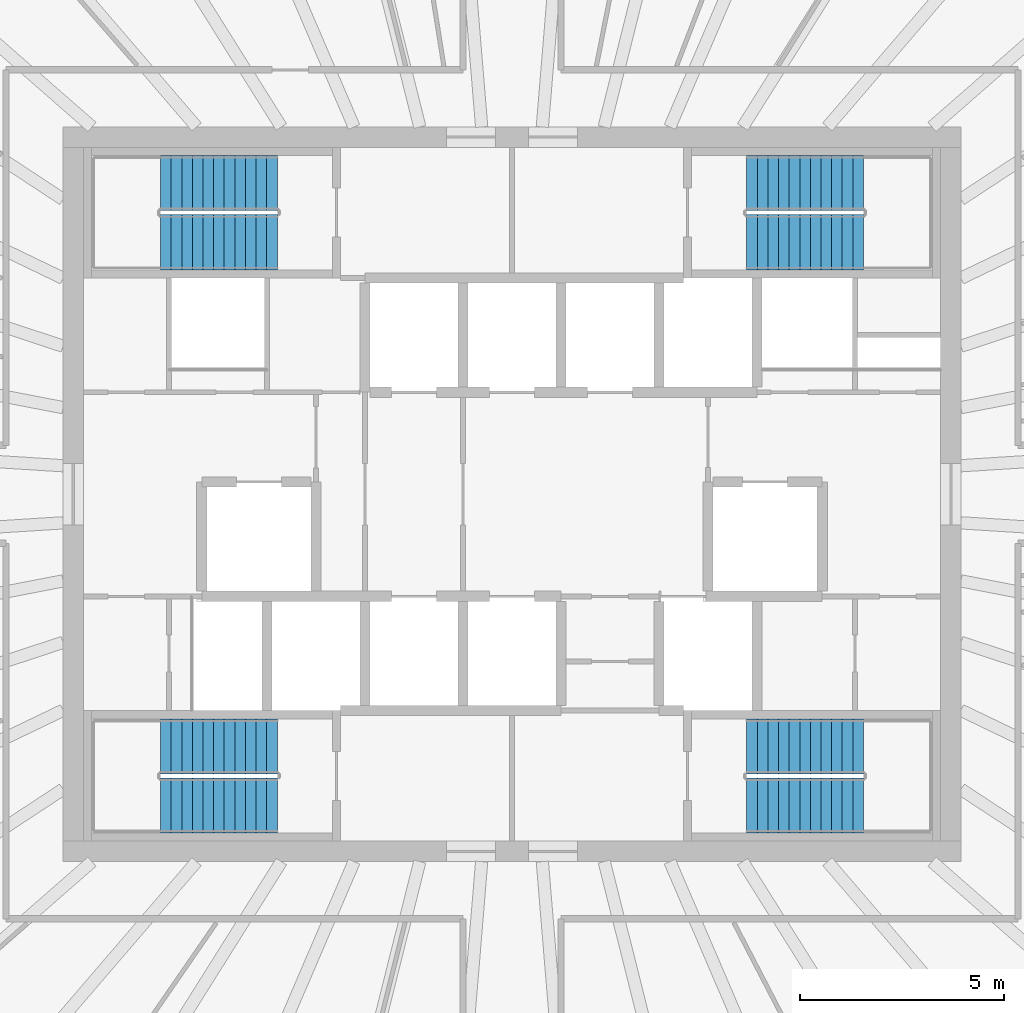
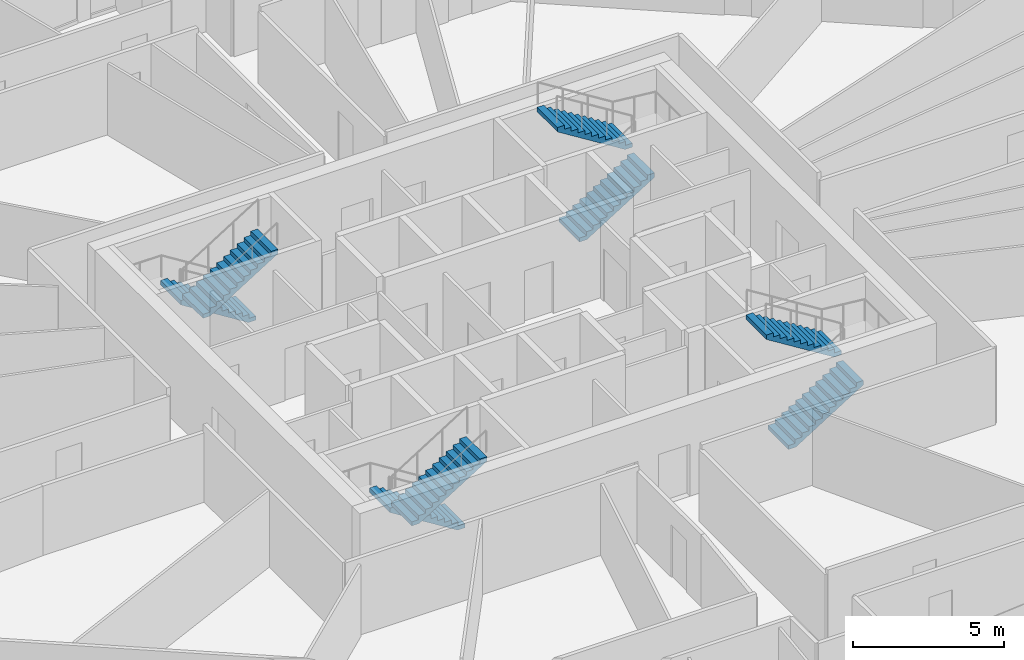
# One storey, part 11 of 12: 8 stair flights, 4 elements without a shape of their own.
"""IFC4 building model written with IfcOpenShell, lengths in metres."""

import ifcopenshell
import ifcopenshell.guid

model = None  # the IFC model being written
_history = None  # IfcOwnerHistory: only IFC2X3 demands one
_inside = {}  # id of a spatial element -> (the spatial element, [elements in it])
_under = {}  # id of a project, library or spatial element -> (it, [spatial elements below it])
_declared = {}  # id of a project -> (the project, [libraries it declares])
_typed = {}  # id of a type object -> (the type object, [elements of that type])
_made_of = {}  # id of a material, layer set ... -> (it, [elements and type objects made of it])


def new_model(schema):
    """Start an empty IFC model of exactly this schema.

    Asked for "IFC4X3", IfcOpenShell would pick the latest addendum, in which some entities
    have other attributes; the version numbers below select the first issue.
    IFC2X3 requires an IfcOwnerHistory on every rooted entity: one is made here for all.
    """
    global model, _history
    if schema == "IFC4X3":
        model = ifcopenshell.file(schema_version=(4, 3, 0, 0))
    else:
        model = ifcopenshell.file(schema=schema)
    _inside.clear()
    _under.clear()
    _declared.clear()
    _typed.clear()
    _made_of.clear()
    _history = None
    if model.schema == "IFC2X3":
        org = make("IfcOrganization", Name="unknown")
        user = make(
            "IfcPersonAndOrganization",
            ThePerson=make("IfcPerson", FamilyName="unknown"),
            TheOrganization=org,
        )
        app = make(
            "IfcApplication",
            ApplicationDeveloper=org,
            Version="unknown",
            ApplicationFullName="unknown",
            ApplicationIdentifier="unknown",
        )
        _history = make(
            "IfcOwnerHistory",
            OwningUser=user,
            OwningApplication=app,
            ChangeAction="ADDED",
            CreationDate=0,
        )
    return model


def make(cls, **values):
    """One entity of the class cls with the attributes given. An attribute that is None is left unset."""
    return model.create_entity(
        cls, **{name: value for name, value in values.items() if value is not None}
    )


def rooted(cls, **values):
    """An entity with a GlobalId (a new one), such as an element, a storey or a relation."""
    return make(cls, GlobalId=ifcopenshell.guid.new(), OwnerHistory=_history, **values)


def si_unit(unit_type, name, prefix=None):
    """IfcSIUnit, for example si_unit("LENGTHUNIT", "METRE", prefix="MILLI")."""
    return make("IfcSIUnit", UnitType=unit_type, Prefix=prefix, Name=name)


def assignment(units):
    """IfcUnitAssignment: the units of a project."""
    return None if units is None else make("IfcUnitAssignment", Units=units)


def point(xyz):
    """IfcCartesianPoint."""
    return None if xyz is None else make("IfcCartesianPoint", Coordinates=xyz)


def direction(xyz):
    """IfcDirection."""
    return None if xyz is None else make("IfcDirection", DirectionRatios=xyz)


def frame(location, z_axis=None, x_axis=None):
    """IfcAxis2Placement3D, a coordinate frame: its origin and axes. An axis left out is left unset."""
    return make(
        "IfcAxis2Placement3D",
        Location=point(location),
        Axis=direction(z_axis),
        RefDirection=direction(x_axis),
    )


def origin():
    """The frame at (0, 0, 0) with its axes left unset."""
    return frame((0.0, 0.0, 0.0))


def place(relative_to, where):
    """IfcLocalPlacement: puts the frame where relative to a parent placement (None: the world)."""
    return make(
        "IfcLocalPlacement", PlacementRelTo=relative_to, RelativePlacement=where
    )


def context(
    kind, dimensions, precision=None, world=None, true_north=None, identifier=None
):
    """IfcGeometricRepresentationContext, for example the 3D "Model" context."""
    return make(
        "IfcGeometricRepresentationContext",
        ContextIdentifier=identifier,
        ContextType=kind,
        CoordinateSpaceDimension=dimensions,
        Precision=precision,
        WorldCoordinateSystem=world,
        TrueNorth=true_north,
    )


def subcontext(parent, identifier, kind, view, scale=None):
    """IfcGeometricRepresentationSubContext, for example "Body" below "Model"."""
    return make(
        "IfcGeometricRepresentationSubContext",
        ContextIdentifier=identifier,
        ContextType=kind,
        ParentContext=parent,
        TargetScale=scale,
        TargetView=view,
    )


def project(units=None, contexts=None):
    """IfcProject with its units and contexts."""
    return rooted(
        "IfcProject",
        Name="project",
        RepresentationContexts=contexts,
        UnitsInContext=assignment(units),
    )


def spatial(cls, under=None, at=None, **own):
    """A site, building, storey or space (cls), placed at a placement, below another one or the project."""
    s = rooted(cls, ObjectPlacement=at, **own)
    if under is not None:
        _under.setdefault(under.id(), (under, []))[1].append(s)
    return s


def polyline(points):
    """IfcPolyline through the points."""
    return make("IfcPolyline", Points=[point(p) for p in points])


def outline(outer, holes=None, kind="AREA"):
    """IfcArbitraryClosedProfileDef: a profile drawn as a closed curve; with holes, ...WithVoids."""
    if holes is None:
        return make("IfcArbitraryClosedProfileDef", ProfileType=kind, OuterCurve=outer)
    return make(
        "IfcArbitraryProfileDefWithVoids",
        ProfileType=kind,
        OuterCurve=outer,
        InnerCurves=holes,
    )


def extrude(swept, where, along, depth):
    """IfcExtrudedAreaSolid: the profile swept, set in the frame where, extruded along a direction by depth."""
    return make(
        "IfcExtrudedAreaSolid",
        SweptArea=swept,
        Position=where,
        ExtrudedDirection=direction(along),
        Depth=depth,
    )


def shape(context_of_items, identifier, shape_type, items):
    """IfcShapeRepresentation: the items that make up one representation, for example the "Body"."""
    return make(
        "IfcShapeRepresentation",
        ContextOfItems=context_of_items,
        RepresentationIdentifier=identifier,
        RepresentationType=shape_type,
        Items=items,
    )


def source(mapping_origin, context_of_items, identifier, shape_type, items):
    """IfcRepresentationMap: a shape defined once, which mapped items show again and again."""
    return make(
        "IfcRepresentationMap",
        MappingOrigin=mapping_origin,
        MappedRepresentation=shape(context_of_items, identifier, shape_type, items),
    )


def transform(
    local_origin,
    x_axis=None,
    y_axis=None,
    z_axis=None,
    scale=None,
    scale2=None,
    scale3=None,
    uniform=True,
):
    """IfcCartesianTransformationOperator3D, or its non-uniform kind. x_axis, y_axis, z_axis: its Axis1, 2, 3."""
    if uniform:
        return make(
            "IfcCartesianTransformationOperator3D",
            Axis1=direction(x_axis),
            Axis2=direction(y_axis),
            LocalOrigin=point(local_origin),
            Scale=scale,
            Axis3=direction(z_axis),
        )
    return make(
        "IfcCartesianTransformationOperator3DnonUniform",
        Axis1=direction(x_axis),
        Axis2=direction(y_axis),
        LocalOrigin=point(local_origin),
        Scale=scale,
        Axis3=direction(z_axis),
        Scale2=scale2,
        Scale3=scale3,
    )


def mapped(mapping_source, mapping_target):
    """IfcMappedItem: shows the shape of a source again, moved by a transform."""
    return make(
        "IfcMappedItem", MappingSource=mapping_source, MappingTarget=mapping_target
    )


def material(Name=None, Category=None):
    """IfcMaterial."""
    return make("IfcMaterial", Name=Name, Category=Category)


def made_of(thing, what):
    """Note that an element or type object is made of a material, layer set ...; save() writes the relation."""
    if what is not None:
        _made_of.setdefault(what.id(), (what, []))[1].append(thing)
    return thing


def type_object(cls, material=None, **own):
    """A type object (cls), such as IfcWallType, which elements share."""
    return made_of(rooted(cls, **own), material)


def element(
    cls,
    number,
    at=None,
    inside=None,
    cuts=None,
    type_object=None,
    material=None,
    context=None,
    identifier="Body",
    shape_type=None,
    held_by="IfcProductDefinitionShape",
    body=None,
    shapes=None,
    **own,
):
    """One element of the class cls, such as IfcWall. Its Tag is "e" and its number.

    at: its placement. inside: the storey or other place that contains it. cuts: it is an
    opening in that element (IfcRelVoidsElement). A single representation is given by context,
    identifier, shape_type and body (its items); several are given by shapes. held_by: the class
    of the entity that holds the representations. save() writes the other relations.
    """
    e = rooted(cls, Tag="e%d" % number, ObjectPlacement=at, **own)
    if body is not None:
        shapes = [shape(context, identifier, shape_type, body)]
    if shapes is not None:
        e.Representation = make(held_by, Representations=shapes)
    if inside is not None:
        _inside.setdefault(inside.id(), (inside, []))[1].append(e)
    if cuts is not None:
        rooted(
            "IfcRelVoidsElement", RelatingBuildingElement=cuts, RelatedOpeningElement=e
        )
    if type_object is not None:
        _typed.setdefault(type_object.id(), (type_object, []))[1].append(e)
    return made_of(e, material)


def aggregate(whole, parts):
    """IfcRelAggregates: a whole, such as a stair, and the parts it consists of."""
    return rooted("IfcRelAggregates", RelatingObject=whole, RelatedObjects=parts)


def save(model, path):
    """Write the relations noted so far, then the file.

    IfcRelAggregates (storeys below a building ...), IfcRelContainedInSpatialStructure (elements
    in a storey), IfcRelDefinesByType, IfcRelAssociatesMaterial and IfcRelDeclares: one each for
    every whole, place, type object, material and project.
    """
    for whole, parts in _under.values():
        aggregate(whole, parts)
    for where, things in _inside.values():
        rooted(
            "IfcRelContainedInSpatialStructure",
            RelatedElements=things,
            RelatingStructure=where,
        )
    for kind, things in _typed.values():
        rooted("IfcRelDefinesByType", RelatedObjects=things, RelatingType=kind)
    for what, things in _made_of.values():
        rooted("IfcRelAssociatesMaterial", RelatedObjects=things, RelatingMaterial=what)
    for by, libraries in _declared.values():
        rooted("IfcRelDeclares", RelatingContext=by, RelatedDefinitions=libraries)
    model.write(path)


model = new_model("IFC4")

# Units and contexts
model_context = context("Model", 3, precision=1e-05, world=origin(), true_north=direction((0.0, 1.0)))
body_context = subcontext(model_context, "Body", "Model", "MODEL_VIEW")
ifc_project = project(units=[si_unit("LENGTHUNIT", "METRE"), si_unit("AREAUNIT", "SQUARE_METRE"), si_unit("VOLUMEUNIT", "CUBIC_METRE"), si_unit("PLANEANGLEUNIT", "RADIAN"), si_unit("MASSUNIT", "GRAM", prefix="KILO")], contexts=[model_context])

# Site, building, storey
site_placement = place(None, origin())
site = spatial("IfcSite", under=ifc_project, at=site_placement, CompositionType="ELEMENT")
building_placement = place(site_placement, origin())
building = spatial("IfcBuilding", under=site, at=building_placement, Name="Embergate Tower", CompositionType="ELEMENT")
storey_placement = place(building_placement, frame((0.0, 0.0, 246.10009765625)))
storey = spatial("IfcBuildingStorey", under=building, at=storey_placement, Name="L56", CompositionType="ELEMENT", Elevation=246.10009765625)

# Stair, stair flights
ifc_material_1 = material(Name="Exit stair")
stair_type = type_object("IfcStairType", Name="Exit stair", PredefinedType="HALF_TURN_STAIR", material=ifc_material_1)
stair_1_placement = place(storey_placement, origin())
stair_1 = element("IfcStair", 1, at=stair_1_placement, inside=storey, type_object=stair_type, Name="L56 Exit stair 1", PredefinedType="HALF_TURN_STAIR")
ifc_material_2 = material(Name="Concrete C40", Category="concrete")
stair_flight_type = type_object("IfcStairFlightType", Name="Stair flight reinforced concrete", PredefinedType="STRAIGHT", material=ifc_material_2)
shared_shape = source(origin(), body_context, "Body", "SweptSolid", [
    extrude(outline(polyline([(0.0, 0.0), (0.0, 0.16259765625), (0.260009765625, 0.16259765625), (0.260009765625, 0.324951171875), (0.52001953125, 0.324951171875), (0.52001953125, 0.487548828125), (0.780029296875, 0.487548828125), (0.780029296875, 0.64990234375), (1.0400390625, 0.64990234375), (1.0400390625, 0.8125), (1.300048828125, 0.8125), (1.300048828125, 0.97509765625), (1.56005859375, 0.97509765625), (1.56005859375, 1.137451171875), (1.820068359375, 1.137451171875), (1.820068359375, 1.300048828125), (2.080078125, 1.300048828125), (2.080078125, 1.46240234375), (2.340087890625, 1.46240234375), (2.340087890625, 1.625), (2.60009765625, 1.625), (2.60009765625, 1.78759765625), (2.860107421875, 1.78759765625), (2.860107421875, 1.949951171875), (2.860107421875, 1.61083984375), (0.28271484375, 0.0), (0.0, 0.0)])), frame((0.0, 0.675048828125, 0.0), z_axis=(0.0, -1.0, 0.0), x_axis=(1.0, 0.0, 0.0)), (0.0, 0.0, 1.0), 1.35009765625),
])
stair_flight_1_placement = place(storey_placement, frame((-5.75, 7.625, 0.0), z_axis=(0.0, 0.0, 1.0), x_axis=(-1.0, 0.0, 0.0)))
stair_flight_1 = element("IfcStairFlight", 2, at=stair_flight_1_placement, type_object=stair_flight_type, Name="ST1 flight 1", NumberOfRisers=12, NumberOfTreads=11, PredefinedType="STRAIGHT", RiserHeight=0.1625, TreadLength=0.26, context=body_context, shape_type="MappedRepresentation", body=[
    mapped(shared_shape, transform((0.0, 0.0, 0.0))),
])
stair_flight_2_placement = place(storey_placement, frame((-8.610107421875, 6.175048828125, 1.949951171875), z_axis=(0.0, 0.0, 1.0), x_axis=(1.0, 0.0, 0.0)))
stair_flight_2 = element("IfcStairFlight", 3, at=stair_flight_2_placement, type_object=stair_flight_type, Name="ST1 flight 2", NumberOfRisers=12, NumberOfTreads=11, PredefinedType="STRAIGHT", RiserHeight=0.1625, TreadLength=0.26, context=body_context, shape_type="MappedRepresentation", body=[
    mapped(shared_shape, transform((0.0, 0.0, 0.0))),
])
aggregate(stair_1, [stair_flight_1, stair_flight_2])

stair_2_placement = place(storey_placement, origin())
stair_2 = element("IfcStair", 4, at=stair_2_placement, inside=storey, type_object=stair_type, Name="L56 Exit stair 2", PredefinedType="HALF_TURN_STAIR")
stair_flight_3_placement = place(storey_placement, frame((5.75, 6.175048828125, 0.0), z_axis=(0.0, 0.0, 1.0), x_axis=(1.0, 0.0, 0.0)))
stair_flight_3 = element("IfcStairFlight", 5, at=stair_flight_3_placement, type_object=stair_flight_type, Name="ST2 flight 1", NumberOfRisers=12, NumberOfTreads=11, PredefinedType="STRAIGHT", RiserHeight=0.1625, TreadLength=0.26, context=body_context, shape_type="MappedRepresentation", body=[
    mapped(shared_shape, transform((0.0, 0.0, 0.0))),
])
stair_flight_4_placement = place(storey_placement, frame((8.610107421875, 7.625, 1.949951171875), z_axis=(0.0, 0.0, 1.0), x_axis=(-1.0, 0.0, 0.0)))
stair_flight_4 = element("IfcStairFlight", 6, at=stair_flight_4_placement, type_object=stair_flight_type, Name="ST2 flight 2", NumberOfRisers=12, NumberOfTreads=11, PredefinedType="STRAIGHT", RiserHeight=0.1625, TreadLength=0.26, context=body_context, shape_type="MappedRepresentation", body=[
    mapped(shared_shape, transform((0.0, 0.0, 0.0))),
])
aggregate(stair_2, [stair_flight_3, stair_flight_4])

stair_3_placement = place(storey_placement, origin())
stair_3 = element("IfcStair", 7, at=stair_3_placement, inside=storey, type_object=stair_type, Name="L56 Exit stair 3", PredefinedType="HALF_TURN_STAIR")
stair_flight_5_placement = place(storey_placement, frame((-5.75, -6.175048828125, 0.0), z_axis=(0.0, 0.0, 1.0), x_axis=(-1.0, 0.0, 0.0)))
stair_flight_5 = element("IfcStairFlight", 8, at=stair_flight_5_placement, type_object=stair_flight_type, Name="ST3 flight 1", NumberOfRisers=12, NumberOfTreads=11, PredefinedType="STRAIGHT", RiserHeight=0.1625, TreadLength=0.26, context=body_context, shape_type="MappedRepresentation", body=[
    mapped(shared_shape, transform((0.0, 0.0, 0.0))),
])
stair_flight_6_placement = place(storey_placement, frame((-8.610107421875, -7.625, 1.949951171875), z_axis=(0.0, 0.0, 1.0), x_axis=(1.0, 0.0, 0.0)))
stair_flight_6 = element("IfcStairFlight", 9, at=stair_flight_6_placement, type_object=stair_flight_type, Name="ST3 flight 2", NumberOfRisers=12, NumberOfTreads=11, PredefinedType="STRAIGHT", RiserHeight=0.1625, TreadLength=0.26, context=body_context, shape_type="MappedRepresentation", body=[
    mapped(shared_shape, transform((0.0, 0.0, 0.0))),
])
aggregate(stair_3, [stair_flight_5, stair_flight_6])

stair_4_placement = place(storey_placement, origin())
stair_4 = element("IfcStair", 10, at=stair_4_placement, inside=storey, type_object=stair_type, Name="L56 Exit stair 4", PredefinedType="HALF_TURN_STAIR")
stair_flight_7_placement = place(storey_placement, frame((5.75, -7.625, 0.0), z_axis=(0.0, 0.0, 1.0), x_axis=(1.0, 0.0, 0.0)))
stair_flight_7 = element("IfcStairFlight", 11, at=stair_flight_7_placement, type_object=stair_flight_type, Name="ST4 flight 1", NumberOfRisers=12, NumberOfTreads=11, PredefinedType="STRAIGHT", RiserHeight=0.1625, TreadLength=0.26, context=body_context, shape_type="MappedRepresentation", body=[
    mapped(shared_shape, transform((0.0, 0.0, 0.0))),
])
stair_flight_8_placement = place(storey_placement, frame((8.610107421875, -6.175048828125, 1.949951171875), z_axis=(0.0, 0.0, 1.0), x_axis=(-1.0, 0.0, 0.0)))
stair_flight_8 = element("IfcStairFlight", 12, at=stair_flight_8_placement, type_object=stair_flight_type, Name="ST4 flight 2", NumberOfRisers=12, NumberOfTreads=11, PredefinedType="STRAIGHT", RiserHeight=0.1625, TreadLength=0.26, context=body_context, shape_type="MappedRepresentation", body=[
    mapped(shared_shape, transform((0.0, 0.0, 0.0))),
])
aggregate(stair_4, [stair_flight_7, stair_flight_8])

save(model, "model.ifc")
